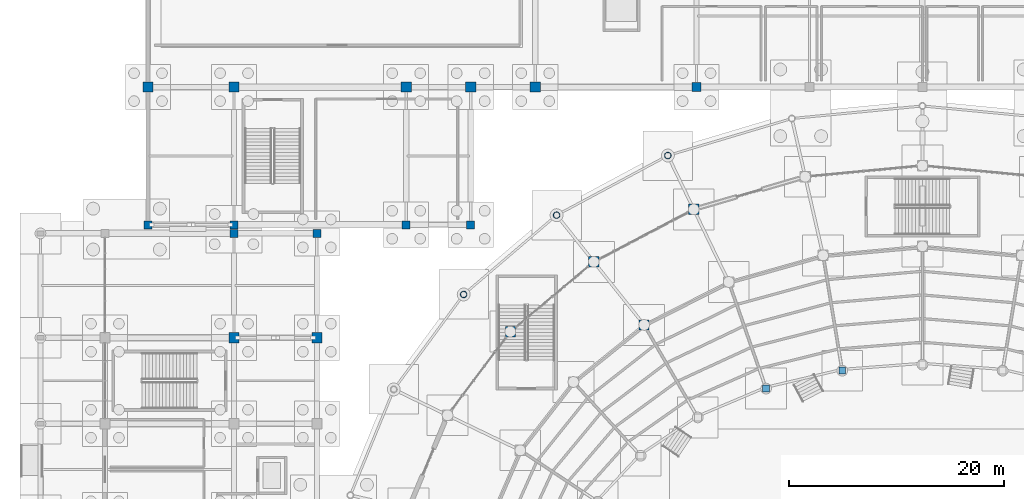
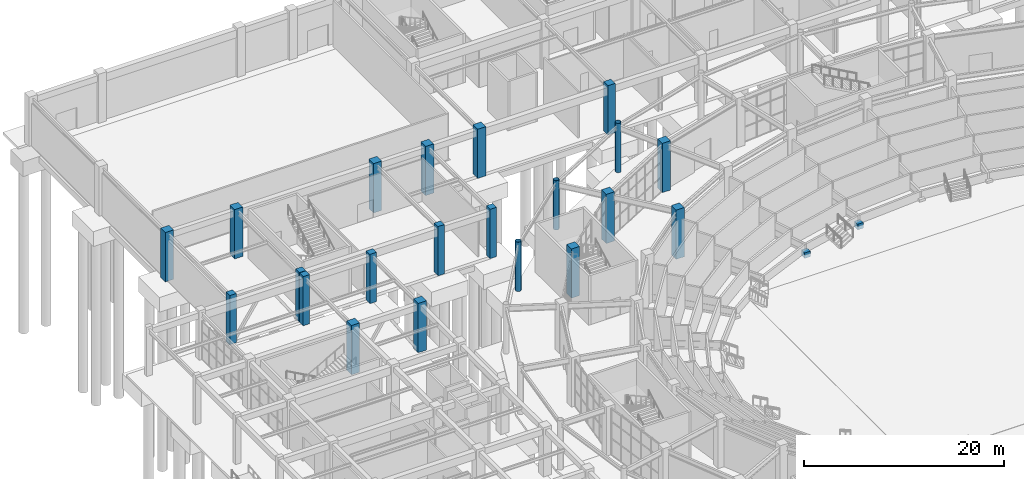
# One storey, part 15 of 121: 23 columns.
"""IFC4 building model written with IfcOpenShell, lengths in metres."""

from ifc_helpers import new_model, si_unit, direction, frame, origin, origin_2d, place, context, subcontext, project, spatial, rectangle, hollow_circle, extrude, material, material_profile, profile_set, type_object, element, save


model = new_model("IFC4")

# Units and contexts
model_context = context("Model", 3, precision=1e-05, world=origin(), true_north=direction((0.0, 1.0)))
body_context = subcontext(model_context, "Body", "Model", "MODEL_VIEW")
ifc_project = project(units=[si_unit("LENGTHUNIT", "METRE"), si_unit("AREAUNIT", "SQUARE_METRE"), si_unit("VOLUMEUNIT", "CUBIC_METRE"), si_unit("PLANEANGLEUNIT", "RADIAN"), si_unit("MASSUNIT", "GRAM", prefix="KILO")], contexts=[model_context])

# Site, building, storey
site_placement = place(None, origin())
site = spatial("IfcSite", under=ifc_project, at=site_placement, CompositionType="ELEMENT")
building_placement = place(site_placement, origin())
building = spatial("IfcBuilding", under=site, at=building_placement, Name="Cuetzalor Civic Arena", CompositionType="ELEMENT")
storey_placement = place(building_placement, origin())
storey = spatial("IfcBuildingStorey", under=building, at=storey_placement, Name="L00", CompositionType="ELEMENT", Elevation=0.0)

# Columns
ifc_material_1 = material(Name="Concrete C40/50", Category="concrete")
ifc_material_profile_1 = material_profile(ifc_material_1, rectangle(XDim=0.64990234375, YDim=0.64990234375, at=origin_2d()), Name="RC 650x650")
ifc_profile_set_1 = profile_set([ifc_material_profile_1], Name="Concrete C40/50")
column_type_1 = type_object("IfcColumnType", Name="ConcreteColumn_650", PredefinedType="COLUMN", material=ifc_profile_set_1)
for number, where, z_axis, x_axis, name in (
    (1, (-7.45458984375, 21.935791015625, -0.419921875), (0.0, 0.0, 1.0), (1.0, 0.0, 0.0), "Column V1-INR-09 L00"),
    (2, (-14.53515625, 20.271728515625, -0.419921875), (0.0, 0.0, 1.0), (1.0, 0.0, 0.0), "Column V1-INR-10 L00"),
):
    element("IfcColumn", number, at=place(storey_placement, frame(where, z_axis=z_axis, x_axis=x_axis)), inside=storey, type_object=column_type_1, Name=name, PredefinedType="COLUMN", context=body_context, shape_type="SweptSolid", body=[
        extrude(rectangle(XDim=0.64990234375, YDim=0.64990234375, at=origin_2d()), origin(), (0.0, 0.0, 1.0), 0.68701171875),
    ])
ifc_material_2 = material(Name="Concrete C40/50", Category="concrete")
ifc_material_profile_2 = material_profile(ifc_material_2, rectangle(XDim=0.75, YDim=0.75, at=origin_2d()), Name="RC 750x750")
ifc_profile_set_2 = profile_set([ifc_material_profile_2], Name="Concrete C40/50")
column_type_2 = type_object("IfcColumnType", Name="ConcreteColumn_750", PredefinedType="COLUMN", material=ifc_profile_set_2)
for number, where, z_axis, x_axis, name in (
    (3, (-64.0, 34.699951171875, 0.0), (0.0, 0.0, 1.0), (1.0, 0.0, 0.0), "Column V4W-C-03-11 L00"),
    (4, (-56.300048828125, 34.699951171875, 0.0), (0.0, 0.0, 1.0), (1.0, 0.0, 0.0), "Column V4W-C-04-11 L00"),
    (5, (-72.0, 35.5, 0.0), (0.0, 0.0, 1.0), (1.0, 0.0, 0.0), "Column V5-C-01-01 L00"),
    (6, (-64.0, 35.5, 0.0), (0.0, 0.0, 1.0), (1.0, 0.0, 0.0), "Column V5-C-02-01 L00"),
    (7, (-48.0, 35.5, 0.0), (0.0, 0.0, 1.0), (1.0, 0.0, 0.0), "Column V5-C-03-01 L00"),
    (8, (-42.0, 35.5, 0.0), (0.0, 0.0, 1.0), (1.0, 0.0, 0.0), "Column V5-C-04-01 L00"),
):
    element("IfcColumn", number, at=place(storey_placement, frame(where, z_axis=z_axis, x_axis=x_axis)), inside=storey, type_object=column_type_2, Name=name, PredefinedType="COLUMN", context=body_context, shape_type="SweptSolid", body=[
        extrude(rectangle(XDim=0.75, YDim=0.75, at=origin_2d()), origin(), (0.0, 0.0, 1.0), 6.0),
    ])
ifc_material_3 = material(Name="Concrete C40/50", Category="concrete")
ifc_material_profile_3 = material_profile(ifc_material_3, rectangle(XDim=0.85009765625, YDim=0.85009765625, at=origin_2d()), Name="RC 850x850")
ifc_profile_set_3 = profile_set([ifc_material_profile_3], Name="Concrete C40/50")
column_type_3 = type_object("IfcColumnType", Name="ConcreteColumn_850", PredefinedType="COLUMN", material=ifc_profile_set_3)
column_placement = place(storey_placement, frame((-21.0, 48.300048828125, 0.0), z_axis=(0.0, 0.0, 1.0), x_axis=(1.0, 0.0, 0.0)))
element("IfcColumn", 9, at=column_placement, inside=storey, type_object=column_type_3, Name="Column V5-C-06-02 L00", PredefinedType="COLUMN", context=body_context, shape_type="SweptSolid", body=[
    extrude(rectangle(XDim=0.85009765625, YDim=0.85009765625, at=origin_2d()), origin(), (0.0, 0.0, 1.0), 6.0),
])
ifc_material_4 = material(Name="Concrete C40/50", Category="concrete")
ifc_material_profile_4 = material_profile(ifc_material_4, rectangle(XDim=0.949951171875, YDim=0.949951171875, at=origin_2d()), Name="RC 950x950")
ifc_profile_set_4 = profile_set([ifc_material_profile_4], Name="Concrete C40/50")
column_type_4 = type_object("IfcColumnType", Name="ConcreteColumn_950", PredefinedType="COLUMN", material=ifc_profile_set_4)
for number, where, z_axis, x_axis, name in (
    (10, (-21.26025390625, 36.939697265625, 0.0), (0.0, 0.0, 1.0), (1.0, 0.0, 0.0), "Column V1-REC-10 L00"),
    (11, (-30.551025390625, 32.05517578125, 0.0), (0.0, 0.0, 1.0), (1.0, 0.0, 0.0), "Column V1-REC-11 L00"),
    (12, (-25.874755859375, 26.19140625, 0.0), (0.0, 0.0, 1.0), (1.0, 0.0, 0.0), "Column V1-MID-11 L00"),
    (13, (-38.309814453125, 25.56298828125, 0.0), (0.0, 0.0, 1.0), (1.0, 0.0, 0.0), "Column V1-REC-12 L00"),
    (14, (-64.0, 25.0, 0.0), (0.0, 0.0, 1.0), (1.0, 0.0, 0.0), "Column V4W-C-03-10 L00"),
    (15, (-56.300048828125, 25.0, 0.0), (0.0, 0.0, 1.0), (1.0, 0.0, 0.0), "Column V4W-C-04-10 L00"),
    (16, (-72.0, 48.300048828125, 0.0), (0.0, 0.0, 1.0), (1.0, 0.0, 0.0), "Column V5-C-01-02 L00"),
    (17, (-64.0, 48.300048828125, 0.0), (0.0, 0.0, 1.0), (1.0, 0.0, 0.0), "Column V5-C-02-02 L00"),
    (18, (-48.0, 48.300048828125, 0.0), (0.0, 0.0, 1.0), (1.0, 0.0, 0.0), "Column V5-C-03-02 L00"),
    (19, (-42.0, 48.300048828125, 0.0), (0.0, 0.0, 1.0), (1.0, 0.0, 0.0), "Column V5-C-04-02 L00"),
    (20, (-36.0, 48.300048828125, 0.0), (0.0, 0.0, 1.0), (1.0, 0.0, 0.0), "Column V5-C-05-02 L00"),
):
    element("IfcColumn", number, at=place(storey_placement, frame(where, z_axis=z_axis, x_axis=x_axis)), inside=storey, type_object=column_type_4, Name=name, PredefinedType="COLUMN", context=body_context, shape_type="SweptSolid", body=[
        extrude(rectangle(XDim=0.949951171875, YDim=0.949951171875, at=origin_2d()), origin(), (0.0, 0.0, 1.0), 6.0),
    ])
ifc_material_5 = material(Name="Steel S355", Category="steel")
ifc_material_profile_5 = material_profile(ifc_material_5, hollow_circle(Radius=0.304931640625, WallThickness=0.02490234375, at=origin_2d()), Name="CHS 610x25")
ifc_profile_set_5 = profile_set([ifc_material_profile_5], Name="Steel S355")
column_type_5 = type_object("IfcColumnType", Name="SteelDomePylon_CHS610", PredefinedType="COLUMN", material=ifc_profile_set_5)
for number, where, z_axis, x_axis, name in (
    (21, (-23.66845703125, 41.940185546875, 0.0), (0.0, 0.0, 1.0), (1.0, 0.0, 0.0), "Column V1-PYL-10 L00"),
    (22, (-34.011474609375, 36.394287109375, 0.0), (0.0, 0.0, 1.0), (1.0, 0.0, 0.0), "Column V1-PYL-11 L00"),
    (23, (-42.64892578125, 29.0234375, 0.0), (0.0, 0.0, 1.0), (1.0, 0.0, 0.0), "Column V1-PYL-12 L00"),
):
    element("IfcColumn", number, at=place(storey_placement, frame(where, z_axis=z_axis, x_axis=x_axis)), inside=storey, type_object=column_type_5, Name=name, PredefinedType="COLUMN", context=body_context, shape_type="SweptSolid", body=[
        extrude(hollow_circle(Radius=0.304931640625, WallThickness=0.02490234375, at=origin_2d()), origin(), (0.0, 0.0, 1.0), 6.0),
    ])

save(model, "model.ifc")
